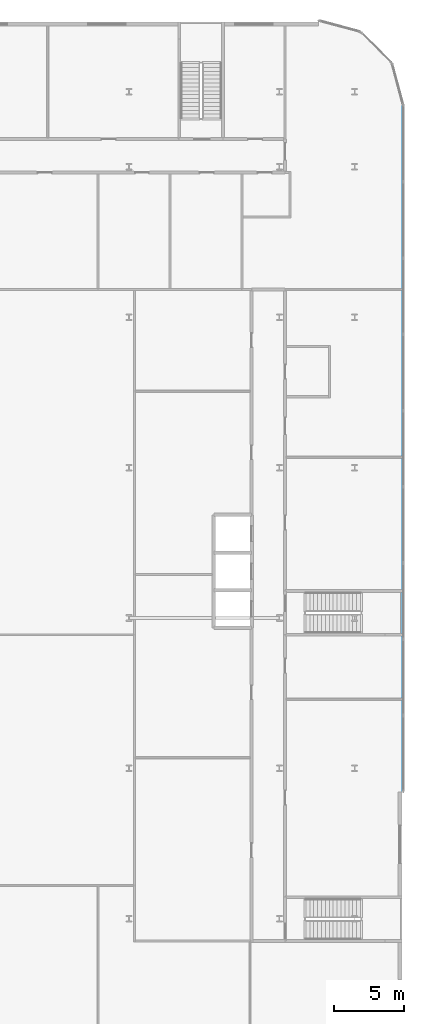
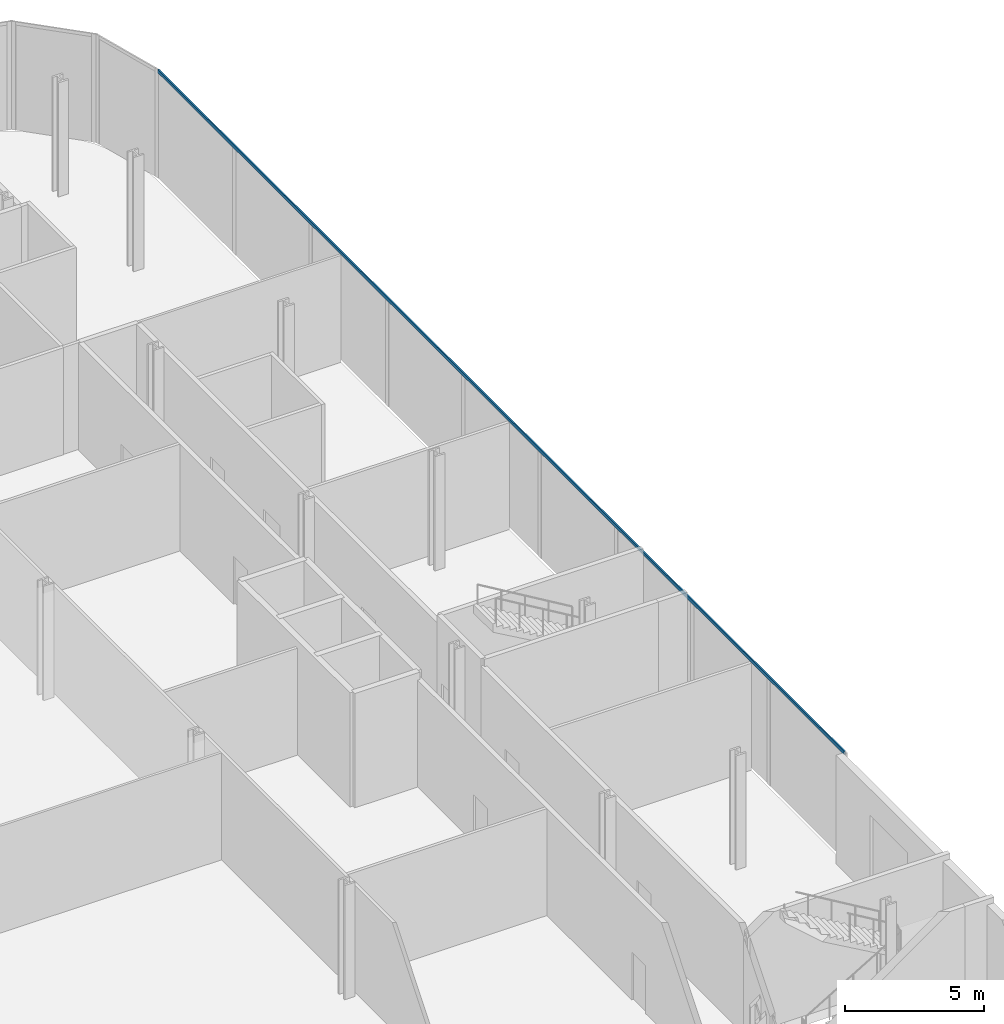
# One storey, part 19 of 47: 1 member, 1 element without a shape of its own.
"""IFC4 building model written with IfcOpenShell, lengths in metres."""

import ifcopenshell
import ifcopenshell.guid

model = None  # the IFC model being written
_history = None  # IfcOwnerHistory: only IFC2X3 demands one
_inside = {}  # id of a spatial element -> (the spatial element, [elements in it])
_under = {}  # id of a project, library or spatial element -> (it, [spatial elements below it])
_declared = {}  # id of a project -> (the project, [libraries it declares])
_typed = {}  # id of a type object -> (the type object, [elements of that type])
_made_of = {}  # id of a material, layer set ... -> (it, [elements and type objects made of it])


def new_model(schema):
    """Start an empty IFC model of exactly this schema.

    Asked for "IFC4X3", IfcOpenShell would pick the latest addendum, in which some entities
    have other attributes; the version numbers below select the first issue.
    IFC2X3 requires an IfcOwnerHistory on every rooted entity: one is made here for all.
    """
    global model, _history
    if schema == "IFC4X3":
        model = ifcopenshell.file(schema_version=(4, 3, 0, 0))
    else:
        model = ifcopenshell.file(schema=schema)
    _inside.clear()
    _under.clear()
    _declared.clear()
    _typed.clear()
    _made_of.clear()
    _history = None
    if model.schema == "IFC2X3":
        org = make("IfcOrganization", Name="unknown")
        user = make(
            "IfcPersonAndOrganization",
            ThePerson=make("IfcPerson", FamilyName="unknown"),
            TheOrganization=org,
        )
        app = make(
            "IfcApplication",
            ApplicationDeveloper=org,
            Version="unknown",
            ApplicationFullName="unknown",
            ApplicationIdentifier="unknown",
        )
        _history = make(
            "IfcOwnerHistory",
            OwningUser=user,
            OwningApplication=app,
            ChangeAction="ADDED",
            CreationDate=0,
        )
    return model


def make(cls, **values):
    """One entity of the class cls with the attributes given. An attribute that is None is left unset."""
    return model.create_entity(
        cls, **{name: value for name, value in values.items() if value is not None}
    )


def rooted(cls, **values):
    """An entity with a GlobalId (a new one), such as an element, a storey or a relation."""
    return make(cls, GlobalId=ifcopenshell.guid.new(), OwnerHistory=_history, **values)


def si_unit(unit_type, name, prefix=None):
    """IfcSIUnit, for example si_unit("LENGTHUNIT", "METRE", prefix="MILLI")."""
    return make("IfcSIUnit", UnitType=unit_type, Prefix=prefix, Name=name)


def assignment(units):
    """IfcUnitAssignment: the units of a project."""
    return None if units is None else make("IfcUnitAssignment", Units=units)


def point(xyz):
    """IfcCartesianPoint."""
    return None if xyz is None else make("IfcCartesianPoint", Coordinates=xyz)


def direction(xyz):
    """IfcDirection."""
    return None if xyz is None else make("IfcDirection", DirectionRatios=xyz)


def frame(location, z_axis=None, x_axis=None):
    """IfcAxis2Placement3D, a coordinate frame: its origin and axes. An axis left out is left unset."""
    return make(
        "IfcAxis2Placement3D",
        Location=point(location),
        Axis=direction(z_axis),
        RefDirection=direction(x_axis),
    )


def frame_2d(location, x_axis=None):
    """IfcAxis2Placement2D, a coordinate frame in the plane: its origin and x axis."""
    return make(
        "IfcAxis2Placement2D", Location=point(location), RefDirection=direction(x_axis)
    )


def origin():
    """The frame at (0, 0, 0) with its axes left unset."""
    return frame((0.0, 0.0, 0.0))


def origin_2d():
    """The frame at (0, 0) in the plane with its x axis left unset."""
    return frame_2d((0.0, 0.0))


def place(relative_to, where):
    """IfcLocalPlacement: puts the frame where relative to a parent placement (None: the world)."""
    return make(
        "IfcLocalPlacement", PlacementRelTo=relative_to, RelativePlacement=where
    )


def context(
    kind, dimensions, precision=None, world=None, true_north=None, identifier=None
):
    """IfcGeometricRepresentationContext, for example the 3D "Model" context."""
    return make(
        "IfcGeometricRepresentationContext",
        ContextIdentifier=identifier,
        ContextType=kind,
        CoordinateSpaceDimension=dimensions,
        Precision=precision,
        WorldCoordinateSystem=world,
        TrueNorth=true_north,
    )


def subcontext(parent, identifier, kind, view, scale=None):
    """IfcGeometricRepresentationSubContext, for example "Body" below "Model"."""
    return make(
        "IfcGeometricRepresentationSubContext",
        ContextIdentifier=identifier,
        ContextType=kind,
        ParentContext=parent,
        TargetScale=scale,
        TargetView=view,
    )


def project(units=None, contexts=None):
    """IfcProject with its units and contexts."""
    return rooted(
        "IfcProject",
        Name="project",
        RepresentationContexts=contexts,
        UnitsInContext=assignment(units),
    )


def spatial(cls, under=None, at=None, **own):
    """A site, building, storey or space (cls), placed at a placement, below another one or the project."""
    s = rooted(cls, ObjectPlacement=at, **own)
    if under is not None:
        _under.setdefault(under.id(), (under, []))[1].append(s)
    return s


def profile(cls, at=None, kind="AREA", **sizes):
    """A parametric profile (cls). Its sizes go by their IFC names, for example OverallWidth=200.0."""
    return make(cls, ProfileType=kind, Position=at, **sizes)


def rectangle(**sizes):
    """IfcRectangleProfileDef."""
    return profile("IfcRectangleProfileDef", **sizes)


def extrude(swept, where, along, depth):
    """IfcExtrudedAreaSolid: the profile swept, set in the frame where, extruded along a direction by depth."""
    return make(
        "IfcExtrudedAreaSolid",
        SweptArea=swept,
        Position=where,
        ExtrudedDirection=direction(along),
        Depth=depth,
    )


def shape(context_of_items, identifier, shape_type, items):
    """IfcShapeRepresentation: the items that make up one representation, for example the "Body"."""
    return make(
        "IfcShapeRepresentation",
        ContextOfItems=context_of_items,
        RepresentationIdentifier=identifier,
        RepresentationType=shape_type,
        Items=items,
    )


def material(Name=None, Category=None):
    """IfcMaterial."""
    return make("IfcMaterial", Name=Name, Category=Category)


def layer(
    of_material, thickness, ventilated=None, Name=None, Category=None, Priority=None
):
    """IfcMaterialLayer: one layer of a wall or slab, of a material (None: an air gap)."""
    return make(
        "IfcMaterialLayer",
        Material=of_material,
        LayerThickness=thickness,
        IsVentilated=ventilated,
        Name=Name,
        Category=Category,
        Priority=Priority,
    )


def layer_set(layers, Name=None):
    """IfcMaterialLayerSet."""
    return make("IfcMaterialLayerSet", MaterialLayers=layers, LayerSetName=Name)


def material_profile(
    of_material, cross_section, Name=None, Category=None, Priority=None
):
    """IfcMaterialProfile: a cross section and its material."""
    return make(
        "IfcMaterialProfile",
        Name=Name,
        Material=of_material,
        Profile=cross_section,
        Priority=Priority,
        Category=Category,
    )


def profile_set(profiles, Name=None, composite=None):
    """IfcMaterialProfileSet."""
    return make(
        "IfcMaterialProfileSet",
        Name=Name,
        MaterialProfiles=profiles,
        CompositeProfile=composite,
    )


def made_of(thing, what):
    """Note that an element or type object is made of a material, layer set ...; save() writes the relation."""
    if what is not None:
        _made_of.setdefault(what.id(), (what, []))[1].append(thing)
    return thing


def type_object(cls, material=None, **own):
    """A type object (cls), such as IfcWallType, which elements share."""
    return made_of(rooted(cls, **own), material)


def element(
    cls,
    number,
    at=None,
    inside=None,
    cuts=None,
    type_object=None,
    material=None,
    context=None,
    identifier="Body",
    shape_type=None,
    held_by="IfcProductDefinitionShape",
    body=None,
    shapes=None,
    **own,
):
    """One element of the class cls, such as IfcWall. Its Tag is "e" and its number.

    at: its placement. inside: the storey or other place that contains it. cuts: it is an
    opening in that element (IfcRelVoidsElement). A single representation is given by context,
    identifier, shape_type and body (its items); several are given by shapes. held_by: the class
    of the entity that holds the representations. save() writes the other relations.
    """
    e = rooted(cls, Tag="e%d" % number, ObjectPlacement=at, **own)
    if body is not None:
        shapes = [shape(context, identifier, shape_type, body)]
    if shapes is not None:
        e.Representation = make(held_by, Representations=shapes)
    if inside is not None:
        _inside.setdefault(inside.id(), (inside, []))[1].append(e)
    if cuts is not None:
        rooted(
            "IfcRelVoidsElement", RelatingBuildingElement=cuts, RelatedOpeningElement=e
        )
    if type_object is not None:
        _typed.setdefault(type_object.id(), (type_object, []))[1].append(e)
    return made_of(e, material)


def aggregate(whole, parts):
    """IfcRelAggregates: a whole, such as a stair, and the parts it consists of."""
    return rooted("IfcRelAggregates", RelatingObject=whole, RelatedObjects=parts)


def save(model, path):
    """Write the relations noted so far, then the file.

    IfcRelAggregates (storeys below a building ...), IfcRelContainedInSpatialStructure (elements
    in a storey), IfcRelDefinesByType, IfcRelAssociatesMaterial and IfcRelDeclares: one each for
    every whole, place, type object, material and project.
    """
    for whole, parts in _under.values():
        aggregate(whole, parts)
    for where, things in _inside.values():
        rooted(
            "IfcRelContainedInSpatialStructure",
            RelatedElements=things,
            RelatingStructure=where,
        )
    for kind, things in _typed.values():
        rooted("IfcRelDefinesByType", RelatedObjects=things, RelatingType=kind)
    for what, things in _made_of.values():
        rooted("IfcRelAssociatesMaterial", RelatedObjects=things, RelatingMaterial=what)
    for by, libraries in _declared.values():
        rooted("IfcRelDeclares", RelatingContext=by, RelatedDefinitions=libraries)
    model.write(path)


model = new_model("IFC4")

# Units and contexts
model_context = context("Model", 3, precision=1e-05, world=origin(), true_north=direction((0.0, 1.0)))
body_context = subcontext(model_context, "Body", "Model", "MODEL_VIEW")
ifc_project = project(units=[si_unit("LENGTHUNIT", "METRE"), si_unit("AREAUNIT", "SQUARE_METRE"), si_unit("VOLUMEUNIT", "CUBIC_METRE"), si_unit("PLANEANGLEUNIT", "RADIAN"), si_unit("MASSUNIT", "GRAM", prefix="KILO")], contexts=[model_context])

# Site, building, storey
site_placement = place(None, origin())
site = spatial("IfcSite", under=ifc_project, at=site_placement, CompositionType="ELEMENT")
building_placement = place(site_placement, origin())
building = spatial("IfcBuilding", under=site, at=building_placement, Name="Kheshtan School and Residences Tower", CompositionType="ELEMENT")
storey_placement = place(building_placement, frame((0.0, 0.0, 7.5)))
storey = spatial("IfcBuildingStorey", under=building, at=storey_placement, Name="L01", CompositionType="ELEMENT", Elevation=7.5)

# Curtain wall, member
ifc_material_1 = material(Name="Clear low-e glass in thermally broken aluminium frame", Category="aluminium")
ifc_layer = layer(ifc_material_1, 0.22509765625)
ifc_layer_set = layer_set([ifc_layer], Name="Curtain wall CW-P")
curtain_wall_type = type_object("IfcCurtainWallType", Name="Curtain wall CW-P", PredefinedType="NOTDEFINED", material=ifc_layer_set)
curtain_wall_placement = place(storey_placement, origin())
curtain_wall = element("IfcCurtainWall", 1, at=curtain_wall_placement, inside=storey, type_object=curtain_wall_type, Name="Curtain wall CWP8", PredefinedType="NOTDEFINED")
ifc_material_2 = material(Name="Thermally broken aluminium, dark bronze anodised", Category="aluminium")
ifc_material_profile = material_profile(ifc_material_2, rectangle(XDim=0.06005859375, YDim=0.139892578125, at=origin_2d()), Name="CW-P transom 60x140")
ifc_profile_set = profile_set([ifc_material_profile], Name="Thermally broken aluminium, dark bronze anodised")
member_type = type_object("IfcMemberType", Name="CW-P transom 60x140", PredefinedType="USERDEFINED", material=ifc_profile_set)
member_placement = place(storey_placement, frame((132.10009765625, 104.02490234375, 4.679931640625), z_axis=(0.0, -1.0, 0.0), x_axis=(1.0, 0.0, 0.0)))
member = element("IfcMember", 2, at=member_placement, type_object=member_type, Name="CWP8 transom 1", ObjectType="TRANSOM", PredefinedType="USERDEFINED", context=body_context, shape_type="SweptSolid", body=[
    extrude(rectangle(XDim=0.06005859375, YDim=0.139892578125, at=origin_2d()), origin(), (0.0, 0.0, 1.0), 49.244873046875),
])
aggregate(curtain_wall, [member])

save(model, "model.ifc")
